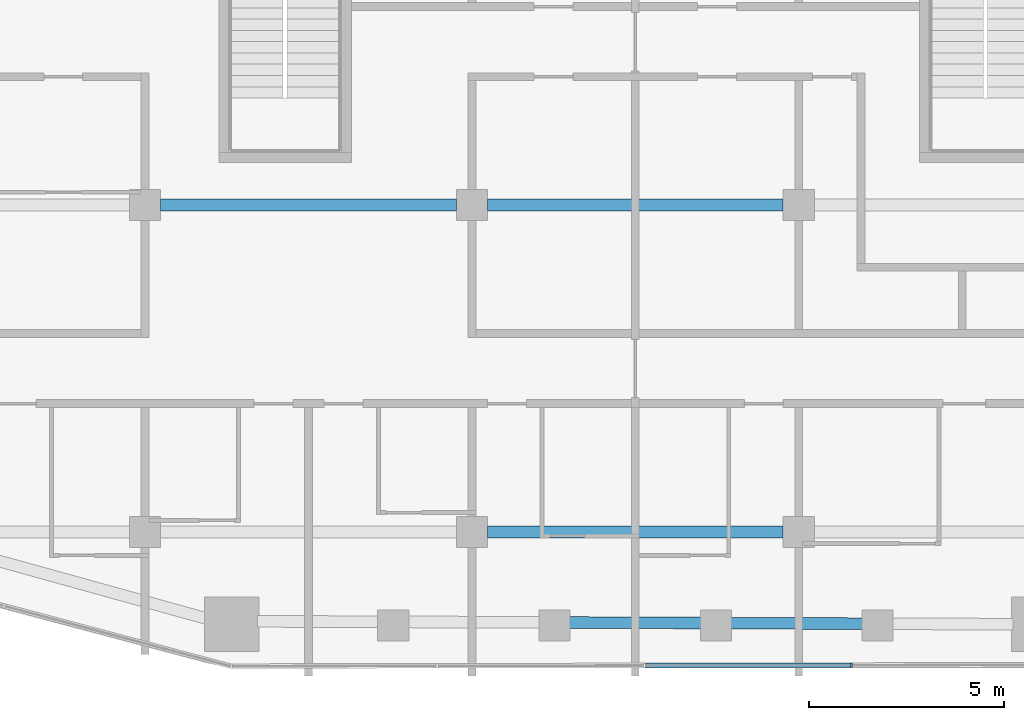
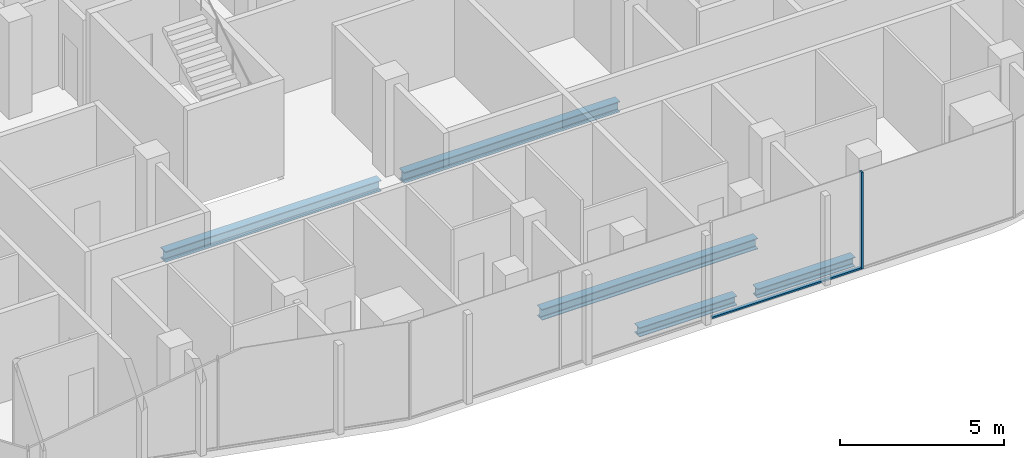
# One storey, part 3 of 22: 5 beams, 2 members, 1 element without a shape of its own.
"""IFC4 building model written with IfcOpenShell, lengths in metres."""

from ifc_helpers import new_model, si_unit, direction, frame, origin, origin_2d, place, context, subcontext, project, spatial, rectangle, i_section, extrude, material, layer, layer_set, material_profile, profile_set, type_object, element, aggregate, save


model = new_model("IFC4")

# Units and contexts
model_context = context("Model", 3, precision=1e-05, world=origin(), true_north=direction((0.0, 1.0)))
body_context = subcontext(model_context, "Body", "Model", "MODEL_VIEW")
ifc_project = project(units=[si_unit("LENGTHUNIT", "METRE"), si_unit("AREAUNIT", "SQUARE_METRE"), si_unit("VOLUMEUNIT", "CUBIC_METRE"), si_unit("PLANEANGLEUNIT", "RADIAN"), si_unit("MASSUNIT", "GRAM", prefix="KILO")], contexts=[model_context])

# Site, building, storey
site_placement = place(None, origin())
site = spatial("IfcSite", under=ifc_project, at=site_placement, CompositionType="ELEMENT")
building_placement = place(site_placement, origin())
building = spatial("IfcBuilding", under=site, at=building_placement, Name="Marenta Gate Hotel Tower", CompositionType="ELEMENT")
storey_placement = place(building_placement, frame((0.0, 0.0, 209.300048828125)))
storey = spatial("IfcBuildingStorey", under=building, at=storey_placement, Name="L48", CompositionType="ELEMENT", Elevation=209.300048828125)

# Beams
ifc_material_1 = material(Name="Steel S355", Category="steel")
ifc_material_profile_1 = material_profile(ifc_material_1, i_section(OverallWidth=0.300048828125, OverallDepth=0.340087890625, WebThickness=0.011962890625, FlangeThickness=0.021484375, FilletRadius=0.027099609375, at=origin_2d()), Name="HEB 340")
ifc_profile_set_1 = profile_set([ifc_material_profile_1], Name="Steel S355")
beam_type_1 = type_object("IfcBeamType", Name="Edge beam HEB 340", PredefinedType="SPANDREL", material=ifc_profile_set_1)
for number, where, z_axis, x_axis, name in (
    (1, (5.860107421875, -27.555419921875, -0.429931640625), (-0.999992599416, 0.003847221457, 0.0), (-0.003847221457, -0.999992599416, 0.0), "L48-EB-33"),
    (2, (1.71337890625, -27.539306640625, -0.429931640625), (-0.999992599416, 0.003847221457, 0.0), (-0.003847221457, -0.999992599416, 0.0), "L48-EB-34"),
):
    element("IfcBeam", number, at=place(storey_placement, frame(where, z_axis=z_axis, x_axis=x_axis)), inside=storey, type_object=beam_type_1, Name=name, PredefinedType="SPANDREL", context=body_context, shape_type="SweptSolid", body=[
        extrude(i_section(OverallWidth=0.300048828125, OverallDepth=0.340087890625, WebThickness=0.011962890625, FlangeThickness=0.021484375, FilletRadius=0.027099609375, at=origin_2d()), origin(), (0.0, 0.0, 1.0), 3.4267578125),
    ])
ifc_material_2 = material(Name="Steel S355", Category="steel")
ifc_material_profile_2 = material_profile(ifc_material_2, i_section(OverallWidth=0.300048828125, OverallDepth=0.39990234375, WebThickness=0.013427734375, FlangeThickness=0.02392578125, FilletRadius=0.027099609375, at=origin_2d()), Name="HEB 400")
ifc_profile_set_2 = profile_set([ifc_material_profile_2], Name="Steel S355")
beam_type_2 = type_object("IfcBeamType", Name="Girder HEB 400", PredefinedType="BEAM", material=ifc_profile_set_2)
beam_1_placement = place(storey_placement, frame((-3.800048828125, -25.199951171875, -0.4599609375), z_axis=(1.0, 0.0, 0.0), x_axis=(0.0, 1.0, 0.0)))
element("IfcBeam", 3, at=beam_1_placement, inside=storey, type_object=beam_type_2, Name="L48-GD-3", PredefinedType="BEAM", context=body_context, shape_type="SweptSolid", body=[
    extrude(i_section(OverallWidth=0.300048828125, OverallDepth=0.39990234375, WebThickness=0.013427734375, FlangeThickness=0.02392578125, FilletRadius=0.027099609375, at=origin_2d()), origin(), (0.0, 0.0, 1.0), 7.60009765625),
])
beam_2_placement = place(storey_placement, frame((-12.199951171875, -16.800048828125, -0.4599609375), z_axis=(1.0, 0.0, 0.0), x_axis=(0.0, 1.0, 0.0)))
element("IfcBeam", 4, at=beam_2_placement, inside=storey, type_object=beam_type_2, Name="L48-GD-8", PredefinedType="BEAM", context=body_context, shape_type="SweptSolid", body=[
    extrude(i_section(OverallWidth=0.300048828125, OverallDepth=0.39990234375, WebThickness=0.013427734375, FlangeThickness=0.02392578125, FilletRadius=0.027099609375, at=origin_2d()), origin(), (0.0, 0.0, 1.0), 7.599853515625),
])
beam_3_placement = place(storey_placement, frame((-3.800048828125, -16.800048828125, -0.4599609375), z_axis=(1.0, 0.0, 0.0), x_axis=(0.0, 1.0, 0.0)))
element("IfcBeam", 5, at=beam_3_placement, inside=storey, type_object=beam_type_2, Name="L48-GD-9", PredefinedType="BEAM", context=body_context, shape_type="SweptSolid", body=[
    extrude(i_section(OverallWidth=0.300048828125, OverallDepth=0.39990234375, WebThickness=0.013427734375, FlangeThickness=0.02392578125, FilletRadius=0.027099609375, at=origin_2d()), origin(), (0.0, 0.0, 1.0), 7.60009765625),
])

# Curtain wall, members
ifc_material_3 = material(Name="Tinted insulated glass in bronze anodised frame", Category="glass")
ifc_layer = layer(ifc_material_3, 0.1201171875)
ifc_layer_set = layer_set([ifc_layer], Name="Tinted insulated glass in bronze anodised frame")
curtain_wall_type = type_object("IfcCurtainWallType", Name="Tower unitised curtain wall CW1", PredefinedType="NOTDEFINED", material=ifc_layer_set)
curtain_wall_placement = place(storey_placement, origin())
curtain_wall = element("IfcCurtainWall", 6, at=curtain_wall_placement, inside=storey, type_object=curtain_wall_type, Name="CW1 run G07", PredefinedType="NOTDEFINED")
ifc_material_4 = material(Name="Bronze anodised aluminium", Category="aluminium")
ifc_material_profile_3 = material_profile(ifc_material_4, rectangle(XDim=0.1201171875, YDim=0.06005859375, at=origin_2d()), Name="Mullion CW1 60x120 bronze anodised aluminium")
ifc_profile_set_3 = profile_set([ifc_material_profile_3], Name="Bronze anodised aluminium")
member_type_1 = type_object("IfcMemberType", Name="Mullion CW1 60x120 bronze anodised aluminium", PredefinedType="MULLION", material=ifc_profile_set_3)
member_1_placement = place(storey_placement, frame((5.5537109375, -28.621337890625, 0.0), z_axis=(0.0, 0.0, 1.0), x_axis=(-0.001644757804, 0.999998647385, 0.0)))
member_1 = element("IfcMember", 7, at=member_1_placement, type_object=member_type_1, Name="CW1 mullion 4", PredefinedType="MULLION", context=body_context, shape_type="SweptSolid", body=[
    extrude(rectangle(XDim=0.1201171875, YDim=0.06005859375, at=origin_2d()), origin(), (0.0, 0.0, 1.0), 3.599853515625),
])
ifc_material_5 = material(Name="Bronze anodised aluminium", Category="aluminium")
ifc_material_profile_4 = material_profile(ifc_material_5, rectangle(XDim=0.1201171875, YDim=0.06005859375, at=origin_2d()), Name="Transom CW1 60x120 bronze anodised aluminium")
ifc_profile_set_4 = profile_set([ifc_material_profile_4], Name="Bronze anodised aluminium")
member_type_2 = type_object("IfcMemberType", Name="Transom CW1 60x120 bronze anodised aluminium", PredefinedType="USERDEFINED", material=ifc_profile_set_4)
member_2_placement = place(storey_placement, frame((0.263916015625, -28.6298828125, 0.030029296875), z_axis=(0.999998680369, 0.001624580106, 0.0), x_axis=(-0.001624580106, 0.999998680369, 0.0)))
member_2 = element("IfcMember", 8, at=member_2_placement, type_object=member_type_2, Name="CW1 transom 3.1", ObjectType="TRANSOM", PredefinedType="USERDEFINED", context=body_context, shape_type="SweptSolid", body=[
    extrude(rectangle(XDim=0.1201171875, YDim=0.06005859375, at=origin_2d()), origin(), (0.0, 0.0, 1.0), 5.259765625),
])
aggregate(curtain_wall, [member_1, member_2])

save(model, "model.ifc")
